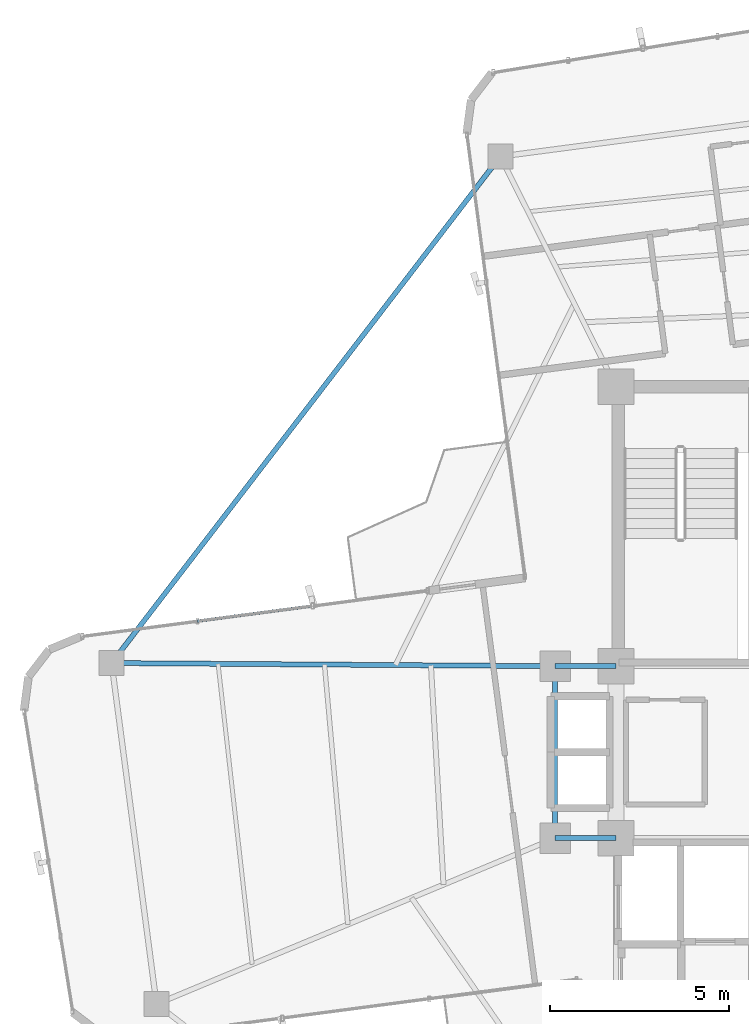
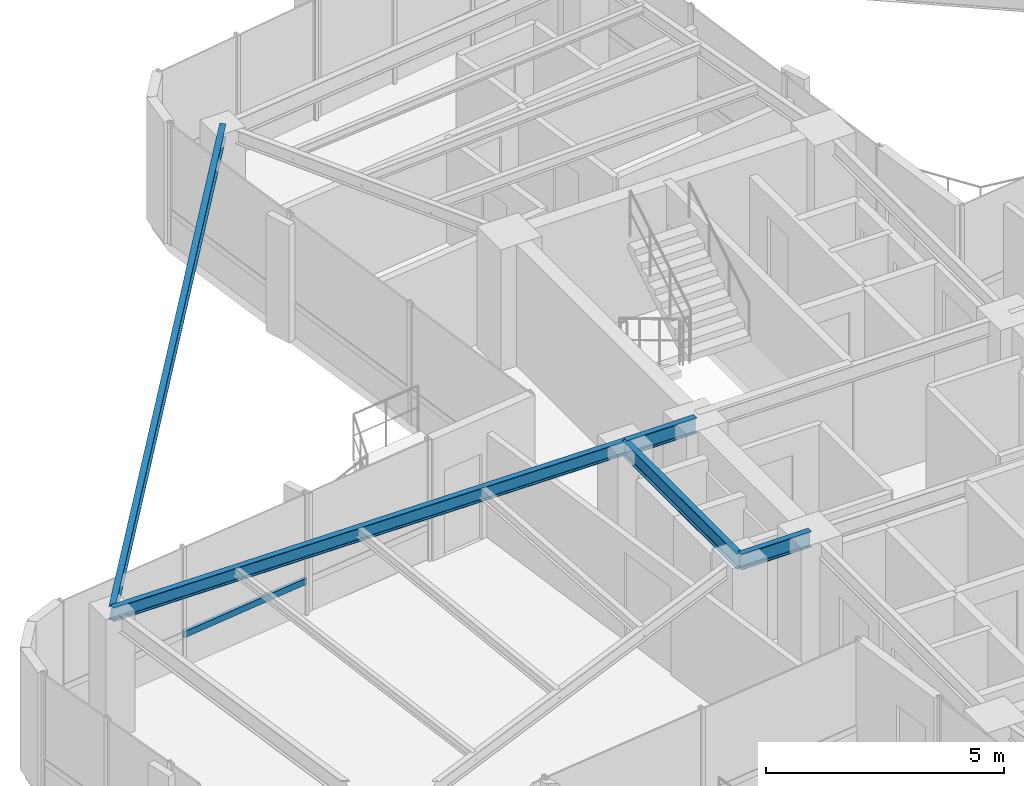
# One storey, part 7 of 21: 5 beams, 1 member, 1 element without a shape of its own.
"""IFC4 building model written with IfcOpenShell, lengths in metres."""

from ifc_helpers import new_model, si_unit, direction, frame, origin, origin_2d, place, context, subcontext, project, spatial, hollow_rectangle, i_section, extrude, source, transform, mapped, material, material_profile, profile_set, type_object, element, aggregate, save


model = new_model("IFC4")

# Units and contexts
model_context = context("Model", 3, precision=1e-05, world=origin(), true_north=direction((0.0, 1.0)))
body_context = subcontext(model_context, "Body", "Model", "MODEL_VIEW")
ifc_project = project(units=[si_unit("LENGTHUNIT", "METRE"), si_unit("AREAUNIT", "SQUARE_METRE"), si_unit("VOLUMEUNIT", "CUBIC_METRE"), si_unit("PLANEANGLEUNIT", "RADIAN"), si_unit("MASSUNIT", "GRAM", prefix="KILO")], contexts=[model_context])

# Site, building, storey
site_placement = place(None, origin())
site = spatial("IfcSite", under=ifc_project, at=site_placement, CompositionType="ELEMENT")
building_placement = place(site_placement, origin())
building = spatial("IfcBuilding", under=site, at=building_placement, Name="Sahyath Konkavel Grand Hotel", CompositionType="ELEMENT")
storey_placement = place(building_placement, frame((0.0, 0.0, 213.199951171875)))
storey = spatial("IfcBuildingStorey", under=building, at=storey_placement, Name="L59", CompositionType="ELEMENT", Elevation=213.199951171875)

# Beams
ifc_material_1 = material(Name="Steel E350", Category="steel")
ifc_material_profile_1 = material_profile(ifc_material_1, i_section(OverallWidth=0.139892578125, OverallDepth=0.39990234375, WebThickness=0.0087890625, FlangeThickness=0.01611328125, FilletRadius=0.013916015625, at=origin_2d()), Name="ISMB 400")
ifc_profile_set_1 = profile_set([ifc_material_profile_1], Name="Steel E350")
beam_type_1 = type_object("IfcBeamType", Name="BM-ISMB400", PredefinedType="BEAM", material=ifc_profile_set_1)
shared_shape_1 = source(origin(), body_context, "Body", "SweptSolid", [
    extrude(i_section(OverallWidth=0.139892578125, OverallDepth=0.39990234375, WebThickness=0.0087890625, FlangeThickness=0.01611328125, FilletRadius=0.013916015625, at=origin_2d()), origin(), (0.0, 0.0, 1.0), 1.699951171875),
])
for number, where, z_axis, x_axis, name in (
    (1, (-5.5, 2.39990234375, 2.91015625), (1.0, 0.0, 0.0), (0.0, 1.0, 0.0), "str:bm:L59:HB-NW"),
    (2, (-5.5, -2.39990234375, 2.91015625), (1.0, 0.0, 0.0), (0.0, 1.0, 0.0), "str:bm:L59:HB-SW"),
):
    element("IfcBeam", number, at=place(storey_placement, frame(where, z_axis=z_axis, x_axis=x_axis)), inside=storey, type_object=beam_type_1, Name=name, PredefinedType="BEAM", context=body_context, shape_type="MappedRepresentation", body=[
        mapped(shared_shape_1, transform((0.0, 0.0, 0.0), scale=1.0)),
    ])
shared_shape_2 = source(origin(), body_context, "Body", "SweptSolid", [
    extrude(i_section(OverallWidth=0.139892578125, OverallDepth=0.39990234375, WebThickness=0.0087890625, FlangeThickness=0.01611328125, FilletRadius=0.013916015625, at=origin_2d()), origin(), (0.0, 0.0, 1.0), 4.7998046875),
])
beam_1_placement = place(storey_placement, frame((-5.5, -2.39990234375, 2.91015625), z_axis=(0.0, 1.0, 0.0), x_axis=(-1.0, 0.0, 0.0)))
element("IfcBeam", 3, at=beam_1_placement, inside=storey, type_object=beam_type_1, Name="str:bm:L59:HB-W", PredefinedType="BEAM", context=body_context, shape_type="MappedRepresentation", body=[
    mapped(shared_shape_2, transform((0.0, 0.0, 0.0), scale=1.0)),
])
ifc_material_profile_2 = material_profile(ifc_material_1, i_section(OverallWidth=0.139892578125, OverallDepth=0.35009765625, WebThickness=0.008056640625, FlangeThickness=0.01416015625, FilletRadius=0.013916015625, at=origin_2d()), Name="ISMB 350")
ifc_profile_set_2 = profile_set([ifc_material_profile_2], Name="Steel E350")
beam_type_2 = type_object("IfcBeamType", Name="BM-ISMB350", PredefinedType="BEAM", material=ifc_profile_set_2)
shared_shape_3 = source(origin(), body_context, "Body", "SweptSolid", [
    extrude(i_section(OverallWidth=0.139892578125, OverallDepth=0.35009765625, WebThickness=0.008056640625, FlangeThickness=0.01416015625, FilletRadius=0.013916015625, at=origin_2d()), origin(), (0.0, 0.0, 1.0), 12.3779296875),
])
beam_2_placement = place(storey_placement, frame((-5.5, 2.39990234375, 2.93505859375), z_axis=(-0.999974790757, 0.007100552766, 0.0), x_axis=(-0.007100552766, -0.999974790757, 0.0)))
element("IfcBeam", 4, at=beam_2_placement, inside=storey, type_object=beam_type_2, Name="L59 Cruciform Radial Girder WA", PredefinedType="BEAM", context=body_context, shape_type="MappedRepresentation", body=[
    mapped(shared_shape_3, transform((0.0, 0.0, 0.0), scale=1.0)),
])
shared_shape_4 = source(origin(), body_context, "Body", "SweptSolid", [
    extrude(i_section(OverallWidth=0.139892578125, OverallDepth=0.35009765625, WebThickness=0.008056640625, FlangeThickness=0.01416015625, FilletRadius=0.013916015625, at=origin_2d()), origin(), (0.0, 0.0, 1.0), 17.819091796875),
])
beam_3_placement = place(storey_placement, frame((-7.030029296875, 16.62451171875, 2.93505859375), z_axis=(-0.608767449027, -0.793348720932, 0.0), x_axis=(0.793348720932, -0.608767449027, 0.0)))
element("IfcBeam", 5, at=beam_3_placement, inside=storey, type_object=beam_type_2, Name="L59 Re-Entrant Tie Beam NW", PredefinedType="BEAM", context=body_context, shape_type="MappedRepresentation", body=[
    mapped(shared_shape_4, transform((0.0, 0.0, 0.0), scale=1.0)),
])

# Curtain wall, member
ifc_material_2 = material(Name="Anodised Bronze Aluminium & Low-E Glazing", Category="aluminium")
curtain_wall_type = type_object("IfcCurtainWallType", Name="CW-ZONE4", PredefinedType="NOTDEFINED", material=ifc_material_2)
curtain_wall_placement = place(storey_placement, origin())
curtain_wall = element("IfcCurtainWall", 6, at=curtain_wall_placement, inside=storey, type_object=curtain_wall_type, Name="L59 Unitised Curtain Wall F16", PredefinedType="NOTDEFINED")
ifc_material_3 = material(Name="Anodised Bronze Aluminium", Category="aluminium")
ifc_material_profile_3 = material_profile(ifc_material_3, hollow_rectangle(XDim=0.080078125, YDim=0.159912109375, WallThickness=0.006103515625, at=origin_2d()), Name="RHS 160x80x6")
ifc_profile_set_3 = profile_set([ifc_material_profile_3], Name="Anodised Bronze Aluminium")
member_type = type_object("IfcMemberType", Name="CW-TRN-160", PredefinedType="USERDEFINED", material=ifc_profile_set_3)
shared_shape_5 = source(origin(), body_context, "Body", "SweptSolid", [
    extrude(hollow_rectangle(XDim=0.080078125, YDim=0.159912109375, WallThickness=0.006103515625, at=origin_2d()), origin(), (0.0, 0.0, 1.0), 3.239990234375),
])
member_placement = place(storey_placement, frame((-12.26806640625, 4.083740234375, 0.85009765625), z_axis=(-0.991436589187, -0.130589010341, 0.0), x_axis=(0.130589010341, -0.991436589187, 0.0)))
member = element("IfcMember", 7, at=member_placement, type_object=member_type, Name="L59 Curtain Wall Transom F16-1-spandrel", ObjectType="TRANSOM", PredefinedType="USERDEFINED", context=body_context, shape_type="MappedRepresentation", body=[
    mapped(shared_shape_5, transform((0.0, 0.0, 0.0), scale=1.0)),
])
aggregate(curtain_wall, [member])

save(model, "model.ifc")
